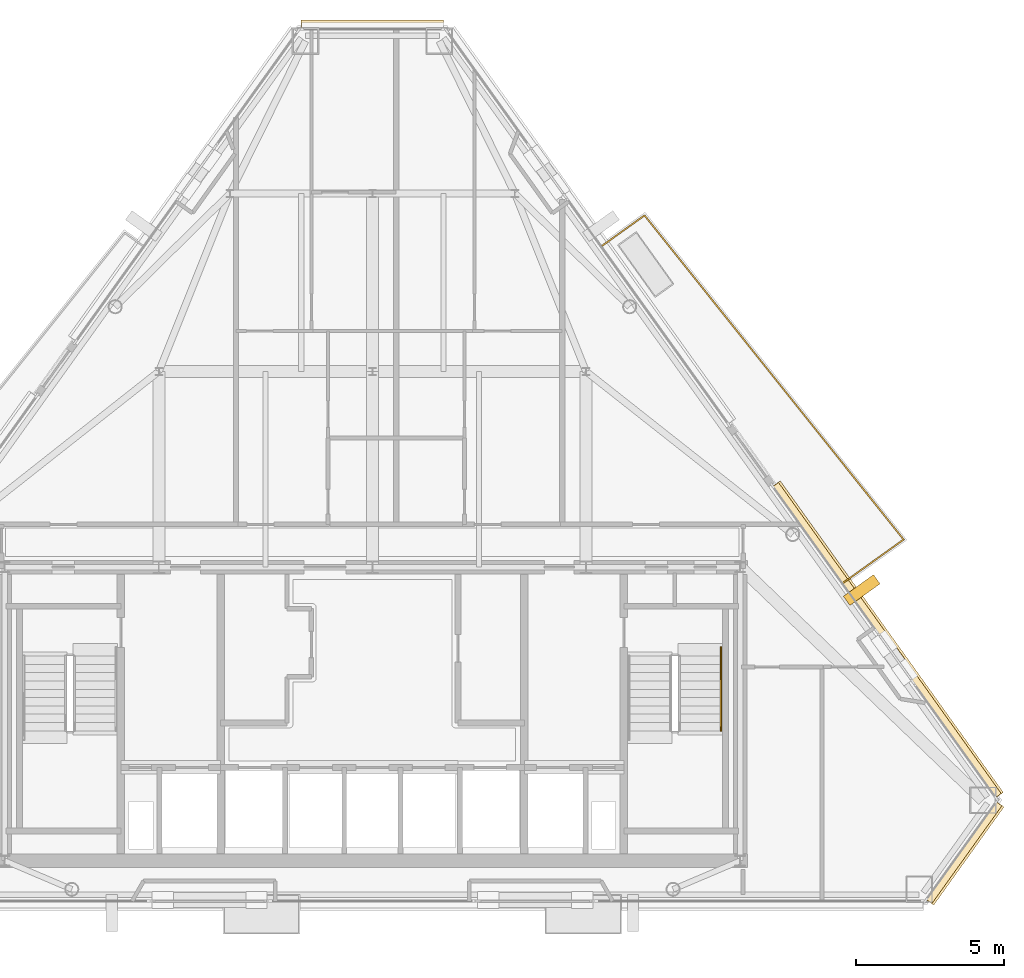
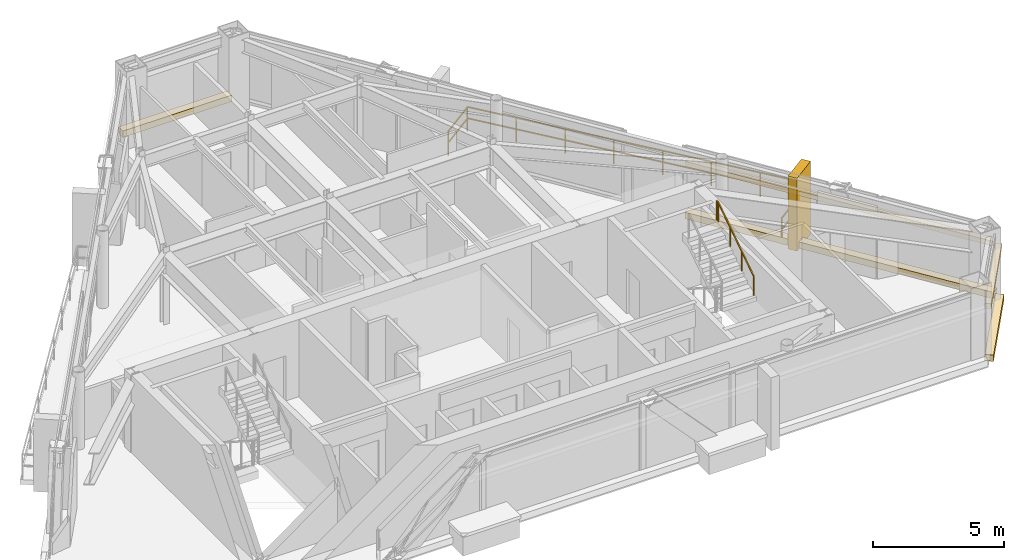
# One storey, part 12 of 12: 6 coverings, 2 railings.
"""IFC4 building model written with IfcOpenShell, lengths in metres."""

from ifc_helpers import new_model, si_unit, direction, frame, origin, origin_2d, place, context, subcontext, project, spatial, rectangle, extrude, material, layer, layer_set, type_object, element, save


model = new_model("IFC4")

# Units and contexts
model_context = context("Model", 3, precision=1e-05, world=origin(), true_north=direction((0.0, 1.0)))
body_context = subcontext(model_context, "Body", "Model", "MODEL_VIEW")
ifc_project = project(units=[si_unit("LENGTHUNIT", "METRE"), si_unit("AREAUNIT", "SQUARE_METRE"), si_unit("VOLUMEUNIT", "CUBIC_METRE"), si_unit("PLANEANGLEUNIT", "RADIAN"), si_unit("MASSUNIT", "GRAM", prefix="KILO")], contexts=[model_context])

# Site, building, storey
site_placement = place(None, origin())
site = spatial("IfcSite", under=ifc_project, at=site_placement, CompositionType="ELEMENT")
building_placement = place(site_placement, origin())
building = spatial("IfcBuilding", under=site, at=building_placement, Name="Talgorran Terracotta Tower", CompositionType="ELEMENT")
storey_placement = place(building_placement, frame((0.0, 0.0, 256.199951171875)))
storey = spatial("IfcBuildingStorey", under=building, at=storey_placement, Name="L67", CompositionType="ELEMENT", Elevation=256.199951171875)

# Coverings
ifc_material_1 = material(Name="Kiln-Fired Terracotta Ochre Ceramic", Category="masonry")
ifc_layer_1 = layer(ifc_material_1, 0.179931640625, Name="COV_BAGUETTE_TERRACOTTA_SCREEN")
ifc_layer_set_1 = layer_set([ifc_layer_1], Name="Kiln-Fired Terracotta Ochre Ceramic")
covering_type_1 = type_object("IfcCoveringType", Name="COV_BAGUETTE_TERRACOTTA_SCREEN", PredefinedType="CLADDING", material=ifc_layer_set_1)
covering_1_placement = place(storey_placement, frame((19.938720703125, -13.818115234375, 2.41015625), z_axis=(0.0, 0.0, 1.0), x_axis=(0.582222304811, 0.813029635242, 0.0)))
element("IfcCovering", 1, at=covering_1_placement, inside=storey, type_object=covering_type_1, Name="L67 Terracotta Baguette Solar Screen Assembly F2", PredefinedType="CLADDING", context=body_context, shape_type="SweptSolid", body=[
    extrude(rectangle(XDim=4.050048828125, YDim=0.260009765625, at=origin_2d()), origin(), (0.0, 0.0, 1.0), 0.219970703125),
])
covering_2_placement = place(storey_placement, frame((17.34033203125, -6.66650390625, 2.41015625), z_axis=(0.0, 0.0, 1.0), x_axis=(-0.582208114678, 0.813039796814, 0.0)))
element("IfcCovering", 2, at=covering_2_placement, inside=storey, type_object=covering_type_1, Name="L67 Terracotta Baguette Solar Screen Assembly F40", PredefinedType="CLADDING", context=body_context, shape_type="SweptSolid", body=[
    extrude(rectangle(XDim=12.89599609375, YDim=0.260009765625, at=origin_2d()), origin(), (0.0, 0.0, 1.0), 0.219970703125),
])
ifc_material_2 = material(Name="Honed Limestone Cladding", Category="masonry")
ifc_layer_2 = layer(ifc_material_2, 0.094970703125, Name="COV_PORTAL_LIME")
ifc_layer_set_2 = layer_set([ifc_layer_2], Name="Honed Limestone Cladding")
covering_type_2 = type_object("IfcCoveringType", Name="COV_PORTAL_LIME", PredefinedType="CLADDING", material=ifc_layer_set_2)
covering_3_placement = place(storey_placement, frame((16.4970703125, -4.9736328125, -0.050048828125), z_axis=(0.0, 0.0, 1.0), x_axis=(-0.582208114678, 0.813039796814, 0.0)))
element("IfcCovering", 3, at=covering_3_placement, inside=storey, type_object=covering_type_2, Name="L67 White Striped Portal Fin F3-1", PredefinedType="CLADDING", context=body_context, shape_type="SweptSolid", body=[
    extrude(rectangle(XDim=0.3798828125, YDim=1.25, at=origin_2d()), origin(), (0.0, 0.0, 1.0), 3.39501953125),
])
ifc_material_3 = material(Name="Kiln-Fired Terracotta Cladding", Category="masonry")
ifc_layer_3 = layer(ifc_material_3, 0.090087890625, Name="COV_PORTAL_TERRA")
ifc_layer_set_3 = layer_set([ifc_layer_3], Name="Kiln-Fired Terracotta Cladding")
covering_type_3 = type_object("IfcCoveringType", Name="COV_PORTAL_TERRA", PredefinedType="CLADDING", material=ifc_layer_set_3)
covering_4_placement = place(storey_placement, frame((19.97119140625, -13.841552734375, -0.0400390625), z_axis=(0.0, 0.0, 1.0), x_axis=(0.582222304811, 0.813029635242, 0.0)))
element("IfcCovering", 4, at=covering_4_placement, inside=storey, type_object=covering_type_3, Name="L67 Striped Postmodern Portal Cladding Band F2", PredefinedType="CLADDING", context=body_context, shape_type="SweptSolid", body=[
    extrude(rectangle(XDim=4.070068359375, YDim=0.340087890625, at=origin_2d()), origin(), (0.0, 0.0, 1.0), 0.300048828125),
])
covering_5_placement = place(storey_placement, frame((17.372802734375, -6.643310546875, -0.0400390625), z_axis=(0.0, 0.0, 1.0), x_axis=(-0.582208114678, 0.813039796814, 0.0)))
element("IfcCovering", 5, at=covering_5_placement, inside=storey, type_object=covering_type_3, Name="L67 Striped Postmodern Portal Cladding Band F40", PredefinedType="CLADDING", context=body_context, shape_type="SweptSolid", body=[
    extrude(rectangle(XDim=12.916015625, YDim=0.340087890625, at=origin_2d()), origin(), (0.0, 0.0, 1.0), 0.300048828125),
])
covering_6_placement = place(storey_placement, frame((0.0, 14.07666015625, -0.0400390625), z_axis=(0.0, 0.0, 1.0), x_axis=(-1.0, 0.0, 0.0)))
element("IfcCovering", 6, at=covering_6_placement, inside=storey, type_object=covering_type_3, Name="L67 Striped Postmodern Portal Cladding Band F4", PredefinedType="CLADDING", context=body_context, shape_type="SweptSolid", body=[
    extrude(rectangle(XDim=4.80712890625, YDim=0.340087890625, at=origin_2d()), origin(), (0.0, 0.0, 1.0), 0.300048828125),
])

# Railings
ifc_material_4 = material(Name="Laminated Glass and Stainless Steel 316", Category="steel")
railing_type_1 = type_object("IfcRailingType", Name="RL_BALCONY_1150", PredefinedType="BALUSTRADE", material=ifc_material_4)
railing_1_placement = place(storey_placement, frame((15.861083984375, -4.738037109375, 0.0)))
element("IfcRailing", 7, at=railing_1_placement, inside=storey, type_object=railing_type_1, Name="RL-L67-BAL-BAL-NE", PredefinedType="BALUSTRADE", context=body_context, shape_type="SweptSolid", body=[
    extrude(rectangle(XDim=0.048095703125, YDim=0.048095703125, at=origin_2d()), frame((0.0, 0.0, 1.1259765625), z_axis=(0.813052429804, 0.582190472604, 0.0), x_axis=(-0.582190472604, 0.813052429804, 0.0)), (0.0, 0.0, 1.0), 2.521240234375),
    extrude(rectangle(XDim=0.048095703125, YDim=0.048095703125, at=origin_2d()), frame((0.0, 0.0, 0.597900390625), z_axis=(0.813052429804, 0.582190472604, 0.0), x_axis=(-0.582190472604, 0.813052429804, 0.0)), (0.0, 0.0, 1.0), 2.521240234375),
    extrude(rectangle(XDim=0.048095703125, YDim=0.048095703125, at=origin_2d()), frame((2.0498046875, 1.4677734375, 1.1259765625), z_axis=(-0.624416247646, 0.781091767769, 0.0), x_axis=(-0.781091767769, -0.624416247646, 0.0)), (0.0, 0.0, 1.0), 13.99169921875),
    extrude(rectangle(XDim=0.048095703125, YDim=0.048095703125, at=origin_2d()), frame((2.0498046875, 1.4677734375, 0.597900390625), z_axis=(-0.624416247646, 0.781091767769, 0.0), x_axis=(-0.781091767769, -0.624416247646, 0.0)), (0.0, 0.0, 1.0), 13.99169921875),
    extrude(rectangle(XDim=0.048095703125, YDim=0.048095703125, at=origin_2d()), frame((-6.686767578125, 12.396484375, 1.1259765625), z_axis=(-0.813047483489, -0.582197380269, 0.0), x_axis=(0.582197380269, -0.813047483489, 0.0)), (0.0, 0.0, 1.0), 1.781005859375),
    extrude(rectangle(XDim=0.048095703125, YDim=0.048095703125, at=origin_2d()), frame((-6.686767578125, 12.396484375, 0.597900390625), z_axis=(-0.813047483489, -0.582197380269, 0.0), x_axis=(0.582197380269, -0.813047483489, 0.0)), (0.0, 0.0, 1.0), 1.781005859375),
    extrude(rectangle(XDim=0.0419921875, YDim=0.0419921875, at=origin_2d()), origin(), (0.0, 0.0, 1.0), 1.101806640625),
    extrude(rectangle(XDim=0.0419921875, YDim=0.0419921875, at=origin_2d()), frame((1.02490234375, 0.73388671875, 0.0)), (0.0, 0.0, 1.0), 1.101806640625),
    extrude(rectangle(XDim=0.0419921875, YDim=0.0419921875, at=origin_2d()), frame((2.0498046875, 1.4677734375, 0.0)), (0.0, 0.0, 1.0), 1.101806640625),
    extrude(rectangle(XDim=0.0419921875, YDim=0.0419921875, at=origin_2d()), frame((0.8017578125, 3.029052734375, 0.0)), (0.0, 0.0, 1.0), 1.101806640625),
    extrude(rectangle(XDim=0.0419921875, YDim=0.0419921875, at=origin_2d()), frame((-0.4462890625, 4.59033203125, 0.0)), (0.0, 0.0, 1.0), 1.101806640625),
    extrude(rectangle(XDim=0.0419921875, YDim=0.0419921875, at=origin_2d()), frame((-1.6943359375, 6.151611328125, 0.0)), (0.0, 0.0, 1.0), 1.101806640625),
    extrude(rectangle(XDim=0.0419921875, YDim=0.0419921875, at=origin_2d()), frame((-2.942626953125, 7.712646484375, 0.0)), (0.0, 0.0, 1.0), 1.101806640625),
    extrude(rectangle(XDim=0.0419921875, YDim=0.0419921875, at=origin_2d()), frame((-4.190673828125, 9.27392578125, 0.0)), (0.0, 0.0, 1.0), 1.101806640625),
    extrude(rectangle(XDim=0.0419921875, YDim=0.0419921875, at=origin_2d()), frame((-5.438720703125, 10.835205078125, 0.0)), (0.0, 0.0, 1.0), 1.101806640625),
    extrude(rectangle(XDim=0.0419921875, YDim=0.0419921875, at=origin_2d()), frame((-6.686767578125, 12.396484375, 0.0)), (0.0, 0.0, 1.0), 1.101806640625),
    extrude(rectangle(XDim=0.0419921875, YDim=0.0419921875, at=origin_2d()), frame((-8.134765625, 11.359619140625, 0.0)), (0.0, 0.0, 1.0), 1.101806640625),
])
ifc_material_5 = material(Name="Steel S355 (300PLUS)", Category="steel")
railing_type_2 = type_object("IfcRailingType", Name="RL_HANDRAIL_920", PredefinedType="HANDRAIL", material=ifc_material_5)
railing_2_placement = place(storey_placement, frame((11.75, -9.719970703125, 1.97998046875)))
element("IfcRailing", 8, at=railing_2_placement, inside=storey, type_object=railing_type_2, Name="L67 ST-02 stair handrail 2", PredefinedType="HANDRAIL", context=body_context, shape_type="SweptSolid", body=[
    extrude(rectangle(XDim=0.048095703125, YDim=0.048095703125, at=origin_2d()), frame((0.0, 0.0, 0.89599609375), z_axis=(0.0, 0.832038719335, 0.554717558338), x_axis=(-1.0, 0.0, 0.0)), (0.0, 0.0, 1.0), 3.244873046875),
    extrude(rectangle(XDim=0.048095703125, YDim=0.048095703125, at=origin_2d()), frame((0.0, 2.699951171875, 2.69580078125), z_axis=(0.0, 1.0, 0.0), x_axis=(-1.0, 0.0, 0.0)), (0.0, 0.0, 1.0), 0.1201171875),
    extrude(rectangle(XDim=0.0419921875, YDim=0.0419921875, at=origin_2d()), origin(), (0.0, 0.0, 1.0), 0.871826171875),
    extrude(rectangle(XDim=0.0419921875, YDim=0.0419921875, at=origin_2d()), frame((0.0, 0.89990234375, 0.60009765625)), (0.0, 0.0, 1.0), 0.871826171875),
    extrude(rectangle(XDim=0.0419921875, YDim=0.0419921875, at=origin_2d()), frame((0.0, 1.800048828125, 1.199951171875)), (0.0, 0.0, 1.0), 0.871826171875),
    extrude(rectangle(XDim=0.0419921875, YDim=0.0419921875, at=origin_2d()), frame((0.0, 2.699951171875, 1.800048828125)), (0.0, 0.0, 1.0), 0.871826171875),
    extrude(rectangle(XDim=0.0419921875, YDim=0.0419921875, at=origin_2d()), frame((0.0, 2.820068359375, 1.800048828125)), (0.0, 0.0, 1.0), 0.871826171875),
])

save(model, "model.ifc")
